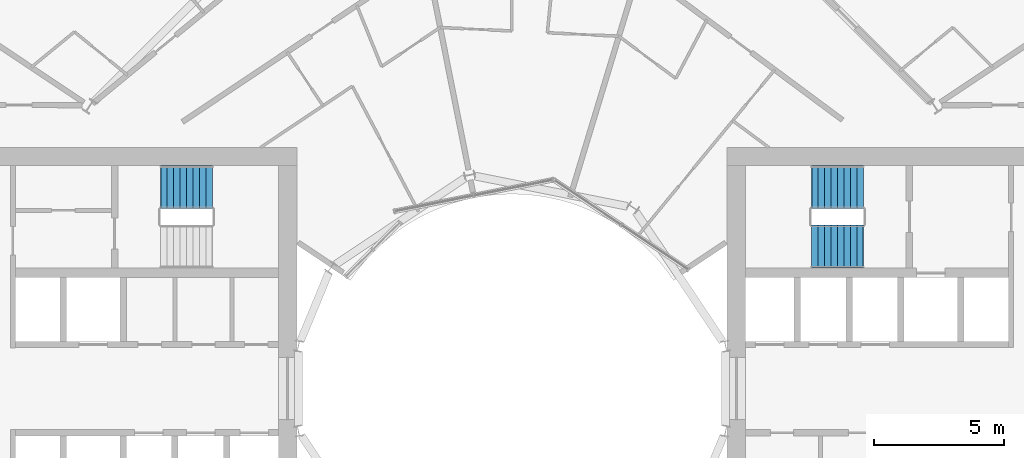
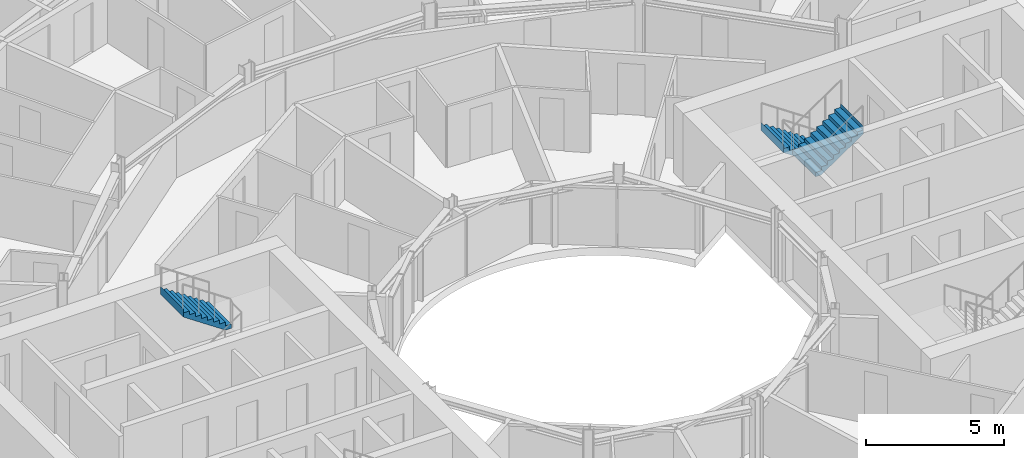
# One storey, part 24 of 26: 3 stair flights, 2 elements without a shape of their own.
"""IFC4 building model written with IfcOpenShell, lengths in metres."""

from ifc_helpers import new_model, si_unit, direction, frame, origin, place, context, subcontext, project, spatial, triangles, material, type_object, element, aggregate, save


model = new_model("IFC4")

# Units and contexts
model_context = context("Model", 3, precision=1e-05, world=origin(), true_north=direction((0.0, 1.0)))
body_context = subcontext(model_context, "Body", "Model", "MODEL_VIEW")
ifc_project = project(units=[si_unit("LENGTHUNIT", "METRE"), si_unit("AREAUNIT", "SQUARE_METRE"), si_unit("VOLUMEUNIT", "CUBIC_METRE"), si_unit("PLANEANGLEUNIT", "RADIAN"), si_unit("MASSUNIT", "GRAM", prefix="KILO")], contexts=[model_context])

# Site, building, storey
site_placement = place(None, origin())
site = spatial("IfcSite", under=ifc_project, at=site_placement, CompositionType="ELEMENT")
building_placement = place(site_placement, origin())
building = spatial("IfcBuilding", under=site, at=building_placement, Name="Maasbend Ring Residences", CompositionType="ELEMENT")
storey_placement = place(building_placement, frame((0.0, 0.0, 88.0)))
storey = spatial("IfcBuildingStorey", under=building, at=storey_placement, Name="L25", CompositionType="ELEMENT", Elevation=88.0)

# Stair, stair flights
ifc_material_1 = material(Name="Concrete C40/50", Category="concrete")
stair_type = type_object("IfcStairType", Name="CORE STAIR 18 RISERS", PredefinedType="HALF_TURN_STAIR", material=ifc_material_1)
stair_1_placement = place(storey_placement, origin())
stair_1 = element("IfcStair", 1, at=stair_1_placement, inside=storey, type_object=stair_type, Name="L25 Exit stair ST-E1", PredefinedType="HALF_TURN_STAIR")
ifc_material_2 = material(Name="Concrete C40/50", Category="concrete")
stair_flight_type = type_object("IfcStairFlightType", Name="CORE STAIR FLIGHT 1650", PredefinedType="STRAIGHT", material=ifc_material_2)
stair_flight_1_placement = place(storey_placement, frame((13.550048828125, 7.77490234375, 0.0), z_axis=(0.0, 0.0, 1.0), x_axis=(-1.0, 0.0, 0.0)))
stair_flight_1 = element("IfcStairFlight", 2, at=stair_flight_1_placement, type_object=stair_flight_type, Name="ST-E1 flight 1", NumberOfRisers=9, NumberOfTreads=8, PredefinedType="STRAIGHT", RiserHeight=0.169444444, TreadLength=0.25, context=body_context, shape_type="Tessellation", body=[
    triangles([(0.24072265625, 0.824951171875, -0.02001953125), (2.0029296875, 0.824951171875, 1.174560546875), (2.0029296875, 0.824951171875, 1.52490234375), (1.989990234375, 0.824951171875, 1.35546875), (1.75, 0.824951171875, 1.35546875), (1.75, 0.824951171875, 1.18603515625), (1.5, 0.824951171875, 1.18603515625), (1.5, 0.824951171875, 1.0166015625), (1.25, 0.824951171875, 1.0166015625), (1.25, 0.824951171875, 0.84716796875), (1.0, 0.824951171875, 0.84716796875), (1.0, 0.824951171875, 0.677734375), (0.75, 0.824951171875, 0.677734375), (0.75, 0.824951171875, 0.50830078125), (0.5, 0.824951171875, 0.50830078125), (0.5, 0.824951171875, 0.3388671875), (0.25, 0.824951171875, 0.3388671875), (0.25, 0.824951171875, 0.16943359375), (0.0, 0.824951171875, 0.16943359375), (0.0, 0.824951171875, 0.0), (-0.0029296875, 0.824951171875, 0.0), (-0.0029296875, 0.824951171875, -0.02001953125), (0.24072265625, 0.27490234375, -0.02001953125), (2.0029296875, 0.27490234375, 1.174560546875), (2.0029296875, 0.27490234375, 1.52490234375), (1.989990234375, 0.27490234375, 1.35546875), (1.75, 0.27490234375, 1.35546875), (1.75, 0.27490234375, 1.18603515625), (1.5, 0.27490234375, 1.18603515625), (1.5, 0.27490234375, 1.0166015625), (1.25, 0.27490234375, 1.0166015625), (1.25, 0.27490234375, 0.84716796875), (1.0, 0.27490234375, 0.84716796875), (1.0, 0.27490234375, 0.677734375), (0.75, 0.27490234375, 0.677734375), (0.75, 0.27490234375, 0.50830078125), (0.5, 0.27490234375, 0.50830078125), (0.5, 0.27490234375, 0.3388671875), (0.25, 0.27490234375, 0.3388671875), (0.25, 0.27490234375, 0.16943359375), (0.0, 0.27490234375, 0.16943359375), (0.0, 0.27490234375, 0.0), (-0.0029296875, 0.27490234375, 0.0), (-0.0029296875, 0.27490234375, -0.02001953125), (0.24072265625, -0.27490234375, -0.02001953125), (2.0029296875, -0.27490234375, 1.174560546875), (2.0029296875, -0.27490234375, 1.52490234375), (1.989990234375, -0.27490234375, 1.35546875), (1.75, -0.27490234375, 1.35546875), (1.75, -0.27490234375, 1.18603515625), (1.5, -0.27490234375, 1.18603515625), (1.5, -0.27490234375, 1.0166015625), (1.25, -0.27490234375, 1.0166015625), (1.25, -0.27490234375, 0.84716796875), (1.0, -0.27490234375, 0.84716796875), (1.0, -0.27490234375, 0.677734375), (0.75, -0.27490234375, 0.677734375), (0.75, -0.27490234375, 0.50830078125), (0.5, -0.27490234375, 0.50830078125), (0.5, -0.27490234375, 0.3388671875), (0.25, -0.27490234375, 0.3388671875), (0.25, -0.27490234375, 0.16943359375), (0.0, -0.27490234375, 0.16943359375), (0.0, -0.27490234375, 0.0), (-0.0029296875, -0.27490234375, 0.0), (-0.0029296875, -0.27490234375, -0.02001953125), (0.24072265625, -0.824951171875, -0.02001953125), (2.0029296875, -0.824951171875, 1.174560546875), (2.0029296875, -0.824951171875, 1.52490234375), (1.989990234375, -0.824951171875, 1.35546875), (1.75, -0.824951171875, 1.35546875), (1.75, -0.824951171875, 1.18603515625), (1.5, -0.824951171875, 1.18603515625), (1.5, -0.824951171875, 1.0166015625), (1.25, -0.824951171875, 1.0166015625), (1.25, -0.824951171875, 0.84716796875), (1.0, -0.824951171875, 0.84716796875), (1.0, -0.824951171875, 0.677734375), (0.75, -0.824951171875, 0.677734375), (0.75, -0.824951171875, 0.50830078125), (0.5, -0.824951171875, 0.50830078125), (0.5, -0.824951171875, 0.3388671875), (0.25, -0.824951171875, 0.3388671875), (0.25, -0.824951171875, 0.16943359375), (0.0, -0.824951171875, 0.16943359375), (0.0, -0.824951171875, 0.0), (-0.0029296875, -0.824951171875, 0.0), (-0.0029296875, -0.824951171875, -0.02001953125)], [[1, 2, 24], [1, 24, 23], [23, 24, 46], [23, 46, 45], [45, 46, 68], [45, 68, 67], [2, 3, 25], [2, 25, 24], [24, 25, 47], [24, 47, 46], [46, 47, 69], [46, 69, 68], [3, 4, 26], [3, 26, 25], [25, 26, 48], [25, 48, 47], [47, 48, 70], [47, 70, 69], [4, 5, 27], [4, 27, 26], [26, 27, 49], [26, 49, 48], [48, 49, 71], [48, 71, 70], [5, 6, 28], [5, 28, 27], [27, 28, 50], [27, 50, 49], [49, 50, 72], [49, 72, 71], [6, 7, 29], [6, 29, 28], [28, 29, 51], [28, 51, 50], [50, 51, 73], [50, 73, 72], [7, 8, 30], [7, 30, 29], [29, 30, 52], [29, 52, 51], [51, 52, 74], [51, 74, 73], [8, 9, 31], [8, 31, 30], [30, 31, 53], [30, 53, 52], [52, 53, 75], [52, 75, 74], [9, 10, 32], [9, 32, 31], [31, 32, 54], [31, 54, 53], [53, 54, 76], [53, 76, 75], [10, 11, 33], [10, 33, 32], [32, 33, 55], [32, 55, 54], [54, 55, 77], [54, 77, 76], [11, 12, 34], [11, 34, 33], [33, 34, 56], [33, 56, 55], [55, 56, 78], [55, 78, 77], [12, 13, 35], [12, 35, 34], [34, 35, 57], [34, 57, 56], [56, 57, 79], [56, 79, 78], [13, 14, 36], [13, 36, 35], [35, 36, 58], [35, 58, 57], [57, 58, 80], [57, 80, 79], [14, 15, 37], [14, 37, 36], [36, 37, 59], [36, 59, 58], [58, 59, 81], [58, 81, 80], [15, 16, 38], [15, 38, 37], [37, 38, 60], [37, 60, 59], [59, 60, 82], [59, 82, 81], [16, 17, 39], [16, 39, 38], [38, 39, 61], [38, 61, 60], [60, 61, 83], [60, 83, 82], [17, 18, 40], [17, 40, 39], [39, 40, 62], [39, 62, 61], [61, 62, 84], [61, 84, 83], [18, 19, 41], [18, 41, 40], [40, 41, 63], [40, 63, 62], [62, 63, 85], [62, 85, 84], [19, 20, 42], [19, 42, 41], [41, 42, 64], [41, 64, 63], [63, 64, 86], [63, 86, 85], [20, 21, 43], [20, 43, 42], [42, 43, 65], [42, 65, 64], [64, 65, 87], [64, 87, 86], [21, 22, 44], [21, 44, 43], [43, 44, 66], [43, 66, 65], [65, 66, 88], [65, 88, 87], [22, 1, 23], [22, 23, 44], [44, 23, 45], [44, 45, 66], [66, 45, 67], [66, 67, 88], [22, 2, 1], [2, 4, 3], [2, 5, 4], [2, 6, 5], [22, 6, 2], [6, 8, 7], [22, 8, 6], [8, 10, 9], [22, 10, 8], [10, 12, 11], [22, 12, 10], [12, 14, 13], [22, 14, 12], [14, 16, 15], [22, 16, 14], [16, 18, 17], [22, 18, 16], [18, 20, 19], [22, 20, 18], [20, 22, 21], [88, 67, 68], [68, 69, 70], [68, 70, 71], [68, 71, 72], [88, 68, 72], [72, 73, 74], [88, 72, 74], [74, 75, 76], [88, 74, 76], [76, 77, 78], [88, 76, 78], [78, 79, 80], [88, 78, 80], [80, 81, 82], [88, 80, 82], [82, 83, 84], [88, 82, 84], [84, 85, 86], [88, 84, 86], [86, 87, 88]], closed=True),
])
stair_flight_2_placement = place(storey_placement, frame((11.550048828125, 5.47509765625, 1.52490234375), z_axis=(0.0, 0.0, 1.0), x_axis=(1.0, 0.0, 0.0)))
stair_flight_2 = element("IfcStairFlight", 3, at=stair_flight_2_placement, type_object=stair_flight_type, Name="ST-E1 flight 2", NumberOfRisers=9, NumberOfTreads=8, PredefinedType="STRAIGHT", RiserHeight=0.169444444, TreadLength=0.25, context=body_context, shape_type="Tessellation", body=[
    triangles([(0.24072265625, 0.824951171875, -0.02001953125), (2.0029296875, 0.824951171875, 1.174560546875), (2.0029296875, 0.824951171875, 1.52490234375), (1.989990234375, 0.824951171875, 1.35546875), (1.75, 0.824951171875, 1.35546875), (1.75, 0.824951171875, 1.18603515625), (1.5, 0.824951171875, 1.18603515625), (1.5, 0.824951171875, 1.0166015625), (1.25, 0.824951171875, 1.0166015625), (1.25, 0.824951171875, 0.84716796875), (1.0, 0.824951171875, 0.84716796875), (1.0, 0.824951171875, 0.677734375), (0.75, 0.824951171875, 0.677734375), (0.75, 0.824951171875, 0.50830078125), (0.5, 0.824951171875, 0.50830078125), (0.5, 0.824951171875, 0.3388671875), (0.25, 0.824951171875, 0.3388671875), (0.25, 0.824951171875, 0.16943359375), (0.0, 0.824951171875, 0.16943359375), (0.0, 0.824951171875, 0.0), (-0.0029296875, 0.824951171875, 0.0), (-0.0029296875, 0.824951171875, -0.02001953125), (0.24072265625, 0.27490234375, -0.02001953125), (2.0029296875, 0.27490234375, 1.174560546875), (2.0029296875, 0.27490234375, 1.52490234375), (1.989990234375, 0.27490234375, 1.35546875), (1.75, 0.27490234375, 1.35546875), (1.75, 0.27490234375, 1.18603515625), (1.5, 0.27490234375, 1.18603515625), (1.5, 0.27490234375, 1.0166015625), (1.25, 0.27490234375, 1.0166015625), (1.25, 0.27490234375, 0.84716796875), (1.0, 0.27490234375, 0.84716796875), (1.0, 0.27490234375, 0.677734375), (0.75, 0.27490234375, 0.677734375), (0.75, 0.27490234375, 0.50830078125), (0.5, 0.27490234375, 0.50830078125), (0.5, 0.27490234375, 0.3388671875), (0.25, 0.27490234375, 0.3388671875), (0.25, 0.27490234375, 0.16943359375), (0.0, 0.27490234375, 0.16943359375), (0.0, 0.27490234375, 0.0), (-0.0029296875, 0.27490234375, 0.0), (-0.0029296875, 0.27490234375, -0.02001953125), (0.24072265625, -0.27490234375, -0.02001953125), (2.0029296875, -0.27490234375, 1.174560546875), (2.0029296875, -0.27490234375, 1.52490234375), (1.989990234375, -0.27490234375, 1.35546875), (1.75, -0.27490234375, 1.35546875), (1.75, -0.27490234375, 1.18603515625), (1.5, -0.27490234375, 1.18603515625), (1.5, -0.27490234375, 1.0166015625), (1.25, -0.27490234375, 1.0166015625), (1.25, -0.27490234375, 0.84716796875), (1.0, -0.27490234375, 0.84716796875), (1.0, -0.27490234375, 0.677734375), (0.75, -0.27490234375, 0.677734375), (0.75, -0.27490234375, 0.50830078125), (0.5, -0.27490234375, 0.50830078125), (0.5, -0.27490234375, 0.3388671875), (0.25, -0.27490234375, 0.3388671875), (0.25, -0.27490234375, 0.16943359375), (0.0, -0.27490234375, 0.16943359375), (0.0, -0.27490234375, 0.0), (-0.0029296875, -0.27490234375, 0.0), (-0.0029296875, -0.27490234375, -0.02001953125), (0.24072265625, -0.824951171875, -0.02001953125), (2.0029296875, -0.824951171875, 1.174560546875), (2.0029296875, -0.824951171875, 1.52490234375), (1.989990234375, -0.824951171875, 1.35546875), (1.75, -0.824951171875, 1.35546875), (1.75, -0.824951171875, 1.18603515625), (1.5, -0.824951171875, 1.18603515625), (1.5, -0.824951171875, 1.0166015625), (1.25, -0.824951171875, 1.0166015625), (1.25, -0.824951171875, 0.84716796875), (1.0, -0.824951171875, 0.84716796875), (1.0, -0.824951171875, 0.677734375), (0.75, -0.824951171875, 0.677734375), (0.75, -0.824951171875, 0.50830078125), (0.5, -0.824951171875, 0.50830078125), (0.5, -0.824951171875, 0.3388671875), (0.25, -0.824951171875, 0.3388671875), (0.25, -0.824951171875, 0.16943359375), (0.0, -0.824951171875, 0.16943359375), (0.0, -0.824951171875, 0.0), (-0.0029296875, -0.824951171875, 0.0), (-0.0029296875, -0.824951171875, -0.02001953125)], [[1, 2, 24], [1, 24, 23], [23, 24, 46], [23, 46, 45], [45, 46, 68], [45, 68, 67], [2, 3, 25], [2, 25, 24], [24, 25, 47], [24, 47, 46], [46, 47, 69], [46, 69, 68], [3, 4, 26], [3, 26, 25], [25, 26, 48], [25, 48, 47], [47, 48, 70], [47, 70, 69], [4, 5, 27], [4, 27, 26], [26, 27, 49], [26, 49, 48], [48, 49, 71], [48, 71, 70], [5, 6, 28], [5, 28, 27], [27, 28, 50], [27, 50, 49], [49, 50, 72], [49, 72, 71], [6, 7, 29], [6, 29, 28], [28, 29, 51], [28, 51, 50], [50, 51, 73], [50, 73, 72], [7, 8, 30], [7, 30, 29], [29, 30, 52], [29, 52, 51], [51, 52, 74], [51, 74, 73], [8, 9, 31], [8, 31, 30], [30, 31, 53], [30, 53, 52], [52, 53, 75], [52, 75, 74], [9, 10, 32], [9, 32, 31], [31, 32, 54], [31, 54, 53], [53, 54, 76], [53, 76, 75], [10, 11, 33], [10, 33, 32], [32, 33, 55], [32, 55, 54], [54, 55, 77], [54, 77, 76], [11, 12, 34], [11, 34, 33], [33, 34, 56], [33, 56, 55], [55, 56, 78], [55, 78, 77], [12, 13, 35], [12, 35, 34], [34, 35, 57], [34, 57, 56], [56, 57, 79], [56, 79, 78], [13, 14, 36], [13, 36, 35], [35, 36, 58], [35, 58, 57], [57, 58, 80], [57, 80, 79], [14, 15, 37], [14, 37, 36], [36, 37, 59], [36, 59, 58], [58, 59, 81], [58, 81, 80], [15, 16, 38], [15, 38, 37], [37, 38, 60], [37, 60, 59], [59, 60, 82], [59, 82, 81], [16, 17, 39], [16, 39, 38], [38, 39, 61], [38, 61, 60], [60, 61, 83], [60, 83, 82], [17, 18, 40], [17, 40, 39], [39, 40, 62], [39, 62, 61], [61, 62, 84], [61, 84, 83], [18, 19, 41], [18, 41, 40], [40, 41, 63], [40, 63, 62], [62, 63, 85], [62, 85, 84], [19, 20, 42], [19, 42, 41], [41, 42, 64], [41, 64, 63], [63, 64, 86], [63, 86, 85], [20, 21, 43], [20, 43, 42], [42, 43, 65], [42, 65, 64], [64, 65, 87], [64, 87, 86], [21, 22, 44], [21, 44, 43], [43, 44, 66], [43, 66, 65], [65, 66, 88], [65, 88, 87], [22, 1, 23], [22, 23, 44], [44, 23, 45], [44, 45, 66], [66, 45, 67], [66, 67, 88], [22, 2, 1], [2, 4, 3], [2, 5, 4], [2, 6, 5], [22, 6, 2], [6, 8, 7], [22, 8, 6], [8, 10, 9], [22, 10, 8], [10, 12, 11], [22, 12, 10], [12, 14, 13], [22, 14, 12], [14, 16, 15], [22, 16, 14], [16, 18, 17], [22, 18, 16], [18, 20, 19], [22, 20, 18], [20, 22, 21], [88, 67, 68], [68, 69, 70], [68, 70, 71], [68, 71, 72], [88, 68, 72], [72, 73, 74], [88, 72, 74], [74, 75, 76], [88, 74, 76], [76, 77, 78], [88, 76, 78], [78, 79, 80], [88, 78, 80], [80, 81, 82], [88, 80, 82], [82, 83, 84], [88, 82, 84], [84, 85, 86], [88, 84, 86], [86, 87, 88]], closed=True),
])
aggregate(stair_1, [stair_flight_1, stair_flight_2])

# Stair, stair flight
stair_2_placement = place(storey_placement, origin())
stair_2 = element("IfcStair", 4, at=stair_2_placement, inside=storey, type_object=stair_type, Name="L25 Exit stair ST-W2", PredefinedType="HALF_TURN_STAIR")
stair_flight_3_placement = place(storey_placement, frame((-11.550048828125, 7.77490234375, 1.52490234375), z_axis=(0.0, 0.0, 1.0), x_axis=(-1.0, 0.0, 0.0)))
stair_flight_3 = element("IfcStairFlight", 5, at=stair_flight_3_placement, type_object=stair_flight_type, Name="ST-W2 flight 2", NumberOfRisers=9, NumberOfTreads=8, PredefinedType="STRAIGHT", RiserHeight=0.169444444, TreadLength=0.25, context=body_context, shape_type="Tessellation", body=[
    triangles([(0.24072265625, 0.824951171875, -0.02001953125), (2.0029296875, 0.824951171875, 1.174560546875), (2.0029296875, 0.824951171875, 1.52490234375), (1.989990234375, 0.824951171875, 1.35546875), (1.75, 0.824951171875, 1.35546875), (1.75, 0.824951171875, 1.18603515625), (1.5, 0.824951171875, 1.18603515625), (1.5, 0.824951171875, 1.0166015625), (1.25, 0.824951171875, 1.0166015625), (1.25, 0.824951171875, 0.84716796875), (1.0, 0.824951171875, 0.84716796875), (1.0, 0.824951171875, 0.677734375), (0.75, 0.824951171875, 0.677734375), (0.75, 0.824951171875, 0.50830078125), (0.5, 0.824951171875, 0.50830078125), (0.5, 0.824951171875, 0.3388671875), (0.25, 0.824951171875, 0.3388671875), (0.25, 0.824951171875, 0.16943359375), (0.0, 0.824951171875, 0.16943359375), (0.0, 0.824951171875, 0.0), (-0.0029296875, 0.824951171875, 0.0), (-0.0029296875, 0.824951171875, -0.02001953125), (0.24072265625, 0.27490234375, -0.02001953125), (2.0029296875, 0.27490234375, 1.174560546875), (2.0029296875, 0.27490234375, 1.52490234375), (1.989990234375, 0.27490234375, 1.35546875), (1.75, 0.27490234375, 1.35546875), (1.75, 0.27490234375, 1.18603515625), (1.5, 0.27490234375, 1.18603515625), (1.5, 0.27490234375, 1.0166015625), (1.25, 0.27490234375, 1.0166015625), (1.25, 0.27490234375, 0.84716796875), (1.0, 0.27490234375, 0.84716796875), (1.0, 0.27490234375, 0.677734375), (0.75, 0.27490234375, 0.677734375), (0.75, 0.27490234375, 0.50830078125), (0.5, 0.27490234375, 0.50830078125), (0.5, 0.27490234375, 0.3388671875), (0.25, 0.27490234375, 0.3388671875), (0.25, 0.27490234375, 0.16943359375), (0.0, 0.27490234375, 0.16943359375), (0.0, 0.27490234375, 0.0), (-0.0029296875, 0.27490234375, 0.0), (-0.0029296875, 0.27490234375, -0.02001953125), (0.24072265625, -0.27490234375, -0.02001953125), (2.0029296875, -0.27490234375, 1.174560546875), (2.0029296875, -0.27490234375, 1.52490234375), (1.989990234375, -0.27490234375, 1.35546875), (1.75, -0.27490234375, 1.35546875), (1.75, -0.27490234375, 1.18603515625), (1.5, -0.27490234375, 1.18603515625), (1.5, -0.27490234375, 1.0166015625), (1.25, -0.27490234375, 1.0166015625), (1.25, -0.27490234375, 0.84716796875), (1.0, -0.27490234375, 0.84716796875), (1.0, -0.27490234375, 0.677734375), (0.75, -0.27490234375, 0.677734375), (0.75, -0.27490234375, 0.50830078125), (0.5, -0.27490234375, 0.50830078125), (0.5, -0.27490234375, 0.3388671875), (0.25, -0.27490234375, 0.3388671875), (0.25, -0.27490234375, 0.16943359375), (0.0, -0.27490234375, 0.16943359375), (0.0, -0.27490234375, 0.0), (-0.0029296875, -0.27490234375, 0.0), (-0.0029296875, -0.27490234375, -0.02001953125), (0.24072265625, -0.824951171875, -0.02001953125), (2.0029296875, -0.824951171875, 1.174560546875), (2.0029296875, -0.824951171875, 1.52490234375), (1.989990234375, -0.824951171875, 1.35546875), (1.75, -0.824951171875, 1.35546875), (1.75, -0.824951171875, 1.18603515625), (1.5, -0.824951171875, 1.18603515625), (1.5, -0.824951171875, 1.0166015625), (1.25, -0.824951171875, 1.0166015625), (1.25, -0.824951171875, 0.84716796875), (1.0, -0.824951171875, 0.84716796875), (1.0, -0.824951171875, 0.677734375), (0.75, -0.824951171875, 0.677734375), (0.75, -0.824951171875, 0.50830078125), (0.5, -0.824951171875, 0.50830078125), (0.5, -0.824951171875, 0.3388671875), (0.25, -0.824951171875, 0.3388671875), (0.25, -0.824951171875, 0.16943359375), (0.0, -0.824951171875, 0.16943359375), (0.0, -0.824951171875, 0.0), (-0.0029296875, -0.824951171875, 0.0), (-0.0029296875, -0.824951171875, -0.02001953125)], [[1, 2, 24], [1, 24, 23], [23, 24, 46], [23, 46, 45], [45, 46, 68], [45, 68, 67], [2, 3, 25], [2, 25, 24], [24, 25, 47], [24, 47, 46], [46, 47, 69], [46, 69, 68], [3, 4, 26], [3, 26, 25], [25, 26, 48], [25, 48, 47], [47, 48, 70], [47, 70, 69], [4, 5, 27], [4, 27, 26], [26, 27, 49], [26, 49, 48], [48, 49, 71], [48, 71, 70], [5, 6, 28], [5, 28, 27], [27, 28, 50], [27, 50, 49], [49, 50, 72], [49, 72, 71], [6, 7, 29], [6, 29, 28], [28, 29, 51], [28, 51, 50], [50, 51, 73], [50, 73, 72], [7, 8, 30], [7, 30, 29], [29, 30, 52], [29, 52, 51], [51, 52, 74], [51, 74, 73], [8, 9, 31], [8, 31, 30], [30, 31, 53], [30, 53, 52], [52, 53, 75], [52, 75, 74], [9, 10, 32], [9, 32, 31], [31, 32, 54], [31, 54, 53], [53, 54, 76], [53, 76, 75], [10, 11, 33], [10, 33, 32], [32, 33, 55], [32, 55, 54], [54, 55, 77], [54, 77, 76], [11, 12, 34], [11, 34, 33], [33, 34, 56], [33, 56, 55], [55, 56, 78], [55, 78, 77], [12, 13, 35], [12, 35, 34], [34, 35, 57], [34, 57, 56], [56, 57, 79], [56, 79, 78], [13, 14, 36], [13, 36, 35], [35, 36, 58], [35, 58, 57], [57, 58, 80], [57, 80, 79], [14, 15, 37], [14, 37, 36], [36, 37, 59], [36, 59, 58], [58, 59, 81], [58, 81, 80], [15, 16, 38], [15, 38, 37], [37, 38, 60], [37, 60, 59], [59, 60, 82], [59, 82, 81], [16, 17, 39], [16, 39, 38], [38, 39, 61], [38, 61, 60], [60, 61, 83], [60, 83, 82], [17, 18, 40], [17, 40, 39], [39, 40, 62], [39, 62, 61], [61, 62, 84], [61, 84, 83], [18, 19, 41], [18, 41, 40], [40, 41, 63], [40, 63, 62], [62, 63, 85], [62, 85, 84], [19, 20, 42], [19, 42, 41], [41, 42, 64], [41, 64, 63], [63, 64, 86], [63, 86, 85], [20, 21, 43], [20, 43, 42], [42, 43, 65], [42, 65, 64], [64, 65, 87], [64, 87, 86], [21, 22, 44], [21, 44, 43], [43, 44, 66], [43, 66, 65], [65, 66, 88], [65, 88, 87], [22, 1, 23], [22, 23, 44], [44, 23, 45], [44, 45, 66], [66, 45, 67], [66, 67, 88], [22, 2, 1], [2, 4, 3], [2, 5, 4], [2, 6, 5], [22, 6, 2], [6, 8, 7], [22, 8, 6], [8, 10, 9], [22, 10, 8], [10, 12, 11], [22, 12, 10], [12, 14, 13], [22, 14, 12], [14, 16, 15], [22, 16, 14], [16, 18, 17], [22, 18, 16], [18, 20, 19], [22, 20, 18], [20, 22, 21], [88, 67, 68], [68, 69, 70], [68, 70, 71], [68, 71, 72], [88, 68, 72], [72, 73, 74], [88, 72, 74], [74, 75, 76], [88, 74, 76], [76, 77, 78], [88, 76, 78], [78, 79, 80], [88, 78, 80], [80, 81, 82], [88, 80, 82], [82, 83, 84], [88, 82, 84], [84, 85, 86], [88, 84, 86], [86, 87, 88]], closed=True),
])
aggregate(stair_2, [stair_flight_3])

save(model, "model.ifc")
